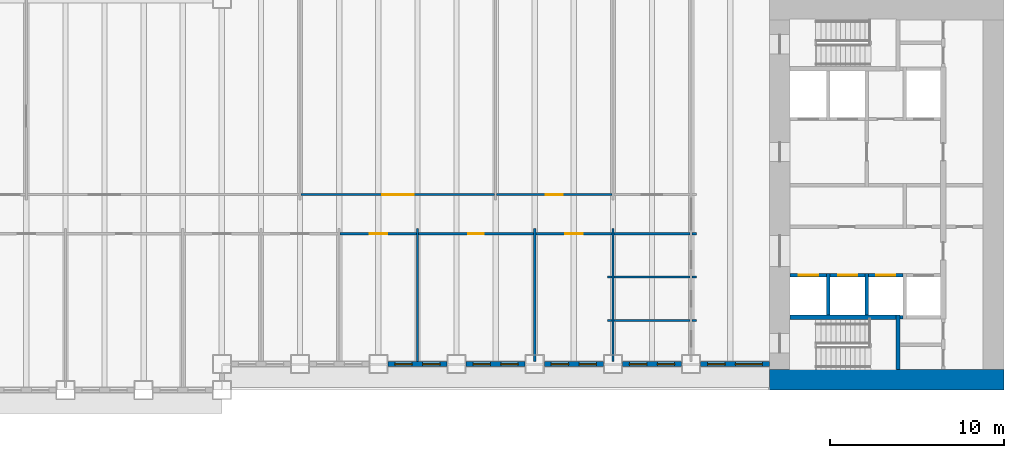
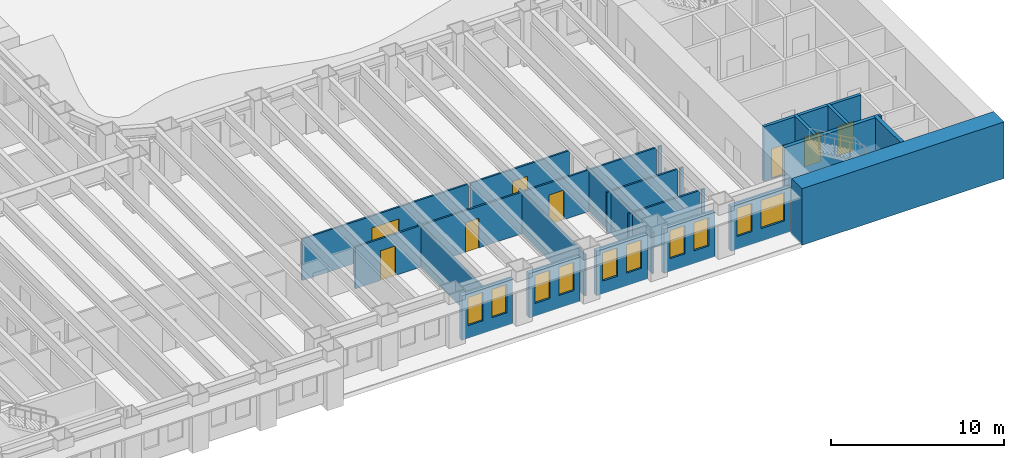
# One storey, part 5 of 18: 30 walls, 10 windows, 8 doors, 18 openings.
"""IFC4 building model written with IfcOpenShell, lengths in metres."""

from ifc_helpers import new_model, si_unit, direction, frame, frame_2d, origin, place, context, subcontext, project, spatial, rectangle, extrude, material, layer, layer_set, type_object, element, fill, save


model = new_model("IFC4")

# Units and contexts
model_context = context("Model", 3, precision=1e-05, world=origin(), true_north=direction((0.0, 1.0)))
body_context = subcontext(model_context, "Body", "Model", "MODEL_VIEW")
ifc_project = project(units=[si_unit("LENGTHUNIT", "METRE"), si_unit("AREAUNIT", "SQUARE_METRE"), si_unit("VOLUMEUNIT", "CUBIC_METRE"), si_unit("PLANEANGLEUNIT", "RADIAN"), si_unit("MASSUNIT", "GRAM", prefix="KILO")], contexts=[model_context])

# Site, building, storey
site_placement = place(None, origin())
site = spatial("IfcSite", under=ifc_project, at=site_placement, CompositionType="ELEMENT")
building_placement = place(site_placement, origin())
building = spatial("IfcBuilding", under=site, at=building_placement, Name="Sennacour Bend Tower", CompositionType="ELEMENT")
storey_placement = place(building_placement, frame((0.0, 0.0, 29.0)))
storey = spatial("IfcBuildingStorey", under=building, at=storey_placement, Name="L05", CompositionType="ELEMENT", Elevation=29.0)

# Walls
ifc_material_1 = material(Name="Concrete C80/95", Category="concrete")
ifc_layer_1 = layer(ifc_material_1, 1.199951171875, Name="Concrete C80/95", Category="concrete")
ifc_layer_set_1 = layer_set([ifc_layer_1], Name="Concrete C80/95")
wall_type_1 = type_object("IfcWallType", Name="Core wall 1200 C80/95", PredefinedType="SHEAR", material=ifc_layer_set_1)
wall_1_placement = place(storey_placement, frame((67.5, 0.60009765625, -0.14990234375), z_axis=(0.0, 0.0, 1.0), x_axis=(-1.0, 0.0, 0.0)))
element("IfcWall", 1, at=wall_1_placement, inside=storey, type_object=wall_type_1, Name="Core A wall L05 S", PredefinedType="SHEAR", context=body_context, shape_type="SweptSolid", body=[
    extrude(rectangle(XDim=13.5, YDim=1.199951171875, at=frame_2d((6.75, 0.0))), origin(), (0.0, 0.0, 1.0), 4.0),
])
ifc_material_2 = material(Name="Plasterboard partition on steel studs", Category="steel")
ifc_layer_2 = layer(ifc_material_2, 0.1201171875, Name="Plasterboard partition on steel studs", Category="steel")
ifc_layer_set_2 = layer_set([ifc_layer_2], Name="Plasterboard partition on steel studs")
wall_type_2 = type_object("IfcWallType", Name="Partition 120", PredefinedType="PARTITIONING", material=ifc_layer_set_2)
for number, where, z_axis, x_axis, name in (
    (2, (33.75, 1.64990234375, 0.0), (0.0, 0.0, 1.0), (0.0, 1.0, 0.0), "P-L05-W030a"),
    (3, (40.5, 1.64990234375, 0.0), (0.0, 0.0, 1.0), (0.0, 1.0, 0.0), "P-L05-W032a"),
    (4, (45.0, 1.64990234375, 0.0), (0.0, 0.0, 1.0), (0.0, 1.0, 0.0), "P-L05-W033a"),
):
    element("IfcWall", number, at=place(storey_placement, frame(where, z_axis=z_axis, x_axis=x_axis)), inside=storey, type_object=wall_type_2, Name=name, PredefinedType="PARTITIONING", context=body_context, shape_type="SweptSolid", body=[
        extrude(rectangle(XDim=7.650146484375, YDim=0.1201171875, at=frame_2d((3.8251953125, 0.0))), origin(), (0.0, 0.0, 1.0), 2.93798828125),
    ])
wall_2_placement = place(storey_placement, frame((44.699951171875, 4.0, 0.0), z_axis=(0.0, 0.0, 1.0), x_axis=(1.0, 0.0, 0.0)))
element("IfcWall", 5, at=wall_2_placement, inside=storey, type_object=wall_type_2, Name="P-L05-W056aa", PredefinedType="PARTITIONING", context=body_context, shape_type="SweptSolid", body=[
    extrude(rectangle(XDim=0.239990234375, YDim=0.1201171875, at=frame_2d((0.1201171875, 0.0))), origin(), (0.0, 0.0, 1.0), 2.93798828125),
])
wall_3_placement = place(storey_placement, frame((45.06005859375, 4.0, 0.0), z_axis=(0.0, 0.0, 1.0), x_axis=(1.0, 0.0, 0.0)))
element("IfcWall", 6, at=wall_3_placement, inside=storey, type_object=wall_type_2, Name="P-L05-W056ab", PredefinedType="PARTITIONING", context=body_context, shape_type="SweptSolid", body=[
    extrude(rectangle(XDim=4.3798828125, YDim=0.1201171875, at=frame_2d((2.18994140625, 0.0))), origin(), (0.0, 0.0, 1.0), 2.93798828125),
])
for number, where, z_axis, x_axis, name in (
    (7, (49.56005859375, 4.0, 0.0), (0.0, 0.0, 1.0), (1.0, 0.0, 0.0), "P-L05-W056ac"),
    (8, (44.699951171875, 6.5, 0.0), (0.0, 0.0, 1.0), (1.0, 0.0, 0.0), "P-L05-W059aa"),
):
    element("IfcWall", number, at=place(storey_placement, frame(where, z_axis=z_axis, x_axis=x_axis)), inside=storey, type_object=wall_type_2, Name=name, PredefinedType="PARTITIONING", context=body_context, shape_type="SweptSolid", body=[
        extrude(rectangle(XDim=0.239990234375, YDim=0.1201171875, at=frame_2d((0.1201171875, 0.0))), origin(), (0.0, 0.0, 1.0), 2.93798828125),
    ])
wall_4_placement = place(storey_placement, frame((45.06005859375, 6.5, 0.0), z_axis=(0.0, 0.0, 1.0), x_axis=(1.0, 0.0, 0.0)))
element("IfcWall", 9, at=wall_4_placement, inside=storey, type_object=wall_type_2, Name="P-L05-W059ab", PredefinedType="PARTITIONING", context=body_context, shape_type="SweptSolid", body=[
    extrude(rectangle(XDim=4.3798828125, YDim=0.1201171875, at=frame_2d((2.18994140625, 0.0))), origin(), (0.0, 0.0, 1.0), 2.93798828125),
])
wall_5_placement = place(storey_placement, frame((49.56005859375, 6.5, 0.0), z_axis=(0.0, 0.0, 1.0), x_axis=(1.0, 0.0, 0.0)))
element("IfcWall", 10, at=wall_5_placement, inside=storey, type_object=wall_type_2, Name="P-L05-W059ac", PredefinedType="PARTITIONING", context=body_context, shape_type="SweptSolid", body=[
    extrude(rectangle(XDim=0.239990234375, YDim=0.1201171875, at=frame_2d((0.1201171875, 0.0))), origin(), (0.0, 0.0, 1.0), 2.93798828125),
])

# Wall, opening, door
wall_6_placement = place(storey_placement, frame((29.31005859375, 9.0, 0.0), z_axis=(0.0, 0.0, 1.0), x_axis=(1.0, 0.0, 0.0)))
wall_6 = element("IfcWall", 11, at=wall_6_placement, inside=storey, type_object=wall_type_2, Name="P-L05-W061af", PredefinedType="PARTITIONING", context=body_context, shape_type="SweptSolid", body=[
    extrude(rectangle(XDim=4.3798828125, YDim=0.1201171875, at=frame_2d((2.18994140625, 0.0))), origin(), (0.0, 0.0, 1.0), 2.93798828125),
])
opening_1_placement = place(wall_6_placement, frame((1.68994140625, 0.0, 0.0)))
opening_1 = element("IfcOpeningElement", 12, at=opening_1_placement, cuts=wall_6, Name="Opening OD2", PredefinedType="OPENING", context=body_context, shape_type="SweptSolid", body=[
    extrude(rectangle(XDim=1.0, YDim=2.10009765625, at=frame_2d((0.5, 1.050048828125))), frame((0.0, 0.070068359375, 0.0), z_axis=(0.0, -1.0, 0.0), x_axis=(1.0, 0.0, 0.0)), (0.0, 0.0, 1.0), 0.14013671875),
])
ifc_material_3 = material(Name="Timber", Category="wood")
door_type_1 = type_object("IfcDoorType", Name="DR-OFFICE-1000", OperationType="NOTDEFINED", PredefinedType="DOOR", material=ifc_material_3)
door_1_placement = place(opening_1_placement, origin())
door_1 = element("IfcDoor", 13, at=door_1_placement, inside=storey, type_object=door_type_1, Name="Door", OperationType="SINGLE_SWING_LEFT", OverallHeight=2.10009765625, OverallWidth=1.0, PredefinedType="DOOR", context=body_context, shape_type="SweptSolid", body=[
    extrude(rectangle(XDim=1.0, YDim=2.10009765625, at=frame_2d((0.5, 1.050048828125))), frame((0.0, 0.02490234375, 0.0), z_axis=(0.0, -1.0, 0.0), x_axis=(1.0, 0.0, 0.0)), (0.0, 0.0, 1.0), 0.050048828125),
])
fill(opening_1, door_1)

wall_7_placement = place(storey_placement, frame((40.56005859375, 9.0, 0.0), z_axis=(0.0, 0.0, 1.0), x_axis=(1.0, 0.0, 0.0)))
wall_7 = element("IfcWall", 14, at=wall_7_placement, inside=storey, type_object=wall_type_2, Name="P-L05-W061ah", PredefinedType="PARTITIONING", context=body_context, shape_type="SweptSolid", body=[
    extrude(rectangle(XDim=4.3798828125, YDim=0.1201171875, at=frame_2d((2.18994140625, 0.0))), origin(), (0.0, 0.0, 1.0), 2.93798828125),
])
opening_2_placement = place(wall_7_placement, frame((1.68994140625, 0.0, 0.0)))
opening_2 = element("IfcOpeningElement", 15, at=opening_2_placement, cuts=wall_7, Name="Opening OD2", PredefinedType="OPENING", context=body_context, shape_type="SweptSolid", body=[
    extrude(rectangle(XDim=1.0, YDim=2.10009765625, at=frame_2d((0.5, 1.050048828125))), frame((0.0, 0.070068359375, 0.0), z_axis=(0.0, -1.0, 0.0), x_axis=(1.0, 0.0, 0.0)), (0.0, 0.0, 1.0), 0.14013671875),
])
door_2_placement = place(opening_2_placement, origin())
door_2 = element("IfcDoor", 16, at=door_2_placement, inside=storey, type_object=door_type_1, Name="Door", OperationType="SINGLE_SWING_LEFT", OverallHeight=2.10009765625, OverallWidth=1.0, PredefinedType="DOOR", context=body_context, shape_type="SweptSolid", body=[
    extrude(rectangle(XDim=1.0, YDim=2.10009765625, at=frame_2d((0.5, 1.050048828125))), frame((0.0, 0.02490234375, 0.0), z_axis=(0.0, -1.0, 0.0), x_axis=(1.0, 0.0, 0.0)), (0.0, 0.0, 1.0), 0.050048828125),
])
fill(opening_2, door_2)

# Walls
wall_8_placement = place(storey_placement, frame((45.06005859375, 9.0, 0.0), z_axis=(0.0, 0.0, 1.0), x_axis=(1.0, 0.0, 0.0)))
element("IfcWall", 17, at=wall_8_placement, inside=storey, type_object=wall_type_2, Name="P-L05-W061ai", PredefinedType="PARTITIONING", context=body_context, shape_type="SweptSolid", body=[
    extrude(rectangle(XDim=4.3798828125, YDim=0.1201171875, at=frame_2d((2.18994140625, 0.0))), origin(), (0.0, 0.0, 1.0), 2.93798828125),
])
wall_9_placement = place(storey_placement, frame((49.56005859375, 9.0, 0.0), z_axis=(0.0, 0.0, 1.0), x_axis=(1.0, 0.0, 0.0)))
element("IfcWall", 18, at=wall_9_placement, inside=storey, type_object=wall_type_2, Name="P-L05-W061aj", PredefinedType="PARTITIONING", context=body_context, shape_type="SweptSolid", body=[
    extrude(rectangle(XDim=0.239990234375, YDim=0.1201171875, at=frame_2d((0.1201171875, 0.0))), origin(), (0.0, 0.0, 1.0), 2.93798828125),
])

# Wall, opening, door
wall_10_placement = place(storey_placement, frame((27.06005859375, 11.25, 0.0), z_axis=(0.0, 0.0, 1.0), x_axis=(1.0, 0.0, 0.0)))
wall_10 = element("IfcWall", 19, at=wall_10_placement, inside=storey, type_object=wall_type_2, Name="P-L05-W063ad", PredefinedType="PARTITIONING", context=body_context, shape_type="SweptSolid", body=[
    extrude(rectangle(XDim=11.1298828125, YDim=0.1201171875, at=frame_2d((5.56494140625, 0.0))), origin(), (0.0, 0.0, 1.0), 2.93798828125),
])
opening_3_placement = place(wall_10_placement, frame((4.664794921875, 0.0, 0.0)))
opening_3 = element("IfcOpeningElement", 20, at=opening_3_placement, cuts=wall_10, Name="Opening OD3", PredefinedType="OPENING", context=body_context, shape_type="SweptSolid", body=[
    extrude(rectangle(XDim=1.800048828125, YDim=2.10009765625, at=frame_2d((0.89990234375, 1.050048828125))), frame((0.0, 0.070068359375, 0.0), z_axis=(0.0, -1.0, 0.0), x_axis=(1.0, 0.0, 0.0)), (0.0, 0.0, 1.0), 0.14013671875),
])
door_type_2 = type_object("IfcDoorType", Name="DR-OFFICE-1800", OperationType="NOTDEFINED", PredefinedType="DOOR", material=ifc_material_3)
door_3_placement = place(opening_3_placement, origin())
door_3 = element("IfcDoor", 21, at=door_3_placement, inside=storey, type_object=door_type_2, Name="Door", OperationType="DOUBLE_DOOR_SINGLE_SWING", OverallHeight=2.10009765625, OverallWidth=1.800048828125, PredefinedType="DOOR", context=body_context, shape_type="SweptSolid", body=[
    extrude(rectangle(XDim=1.800048828125, YDim=2.10009765625, at=frame_2d((0.89990234375, 1.050048828125))), frame((0.0, 0.02490234375, 0.0), z_axis=(0.0, -1.0, 0.0), x_axis=(1.0, 0.0, 0.0)), (0.0, 0.0, 1.0), 0.050048828125),
])
fill(opening_3, door_3)

wall_11_placement = place(storey_placement, frame((38.31005859375, 11.25, 0.0), z_axis=(0.0, 0.0, 1.0), x_axis=(1.0, 0.0, 0.0)))
wall_11 = element("IfcWall", 22, at=wall_11_placement, inside=storey, type_object=wall_type_2, Name="P-L05-W063ae", PredefinedType="PARTITIONING", context=body_context, shape_type="SweptSolid", body=[
    extrude(rectangle(XDim=6.6298828125, YDim=0.1201171875, at=frame_2d((3.31494140625, 0.0))), origin(), (0.0, 0.0, 1.0), 2.93798828125),
])
opening_4_placement = place(wall_11_placement, frame((2.81494140625, 0.0, 0.0)))
opening_4 = element("IfcOpeningElement", 23, at=opening_4_placement, cuts=wall_11, Name="Opening MD2", PredefinedType="OPENING", context=body_context, shape_type="SweptSolid", body=[
    extrude(rectangle(XDim=1.0, YDim=2.10009765625, at=frame_2d((0.5, 1.050048828125))), frame((0.0, 0.070068359375, 0.0), z_axis=(0.0, -1.0, 0.0), x_axis=(1.0, 0.0, 0.0)), (0.0, 0.0, 1.0), 0.14013671875),
])
door_type_3 = type_object("IfcDoorType", Name="DR-MEETING-1000", OperationType="NOTDEFINED", PredefinedType="DOOR", material=ifc_material_3)
door_4_placement = place(opening_4_placement, origin())
door_4 = element("IfcDoor", 24, at=door_4_placement, inside=storey, type_object=door_type_3, Name="Door", OperationType="SINGLE_SWING_LEFT", OverallHeight=2.10009765625, OverallWidth=1.0, PredefinedType="DOOR", context=body_context, shape_type="SweptSolid", body=[
    extrude(rectangle(XDim=1.0, YDim=2.10009765625, at=frame_2d((0.5, 1.050048828125))), frame((0.0, 0.02490234375, 0.0), z_axis=(0.0, -1.0, 0.0), x_axis=(1.0, 0.0, 0.0)), (0.0, 0.0, 1.0), 0.050048828125),
])
fill(opening_4, door_4)

ifc_layer_3 = layer(ifc_material_2, 0.1201171875, Name="Plasterboard partition on steel studs", Category="steel")
ifc_layer_set_3 = layer_set([ifc_layer_3], Name="Plasterboard partition on steel studs")
wall_type_3 = type_object("IfcWallType", Name="Partition 120 EI 60", PredefinedType="PARTITIONING", material=ifc_layer_set_3)
wall_12_placement = place(storey_placement, frame((33.81005859375, 9.0, 0.0), z_axis=(0.0, 0.0, 1.0), x_axis=(1.0, 0.0, 0.0)))
wall_12 = element("IfcWall", 25, at=wall_12_placement, inside=storey, type_object=wall_type_3, Name="P-L05-W061ag", PredefinedType="PARTITIONING", context=body_context, shape_type="SweptSolid", body=[
    extrude(rectangle(XDim=6.6298828125, YDim=0.1201171875, at=frame_2d((3.31494140625, 0.0))), origin(), (0.0, 0.0, 1.0), 2.93798828125),
])
opening_5_placement = place(wall_12_placement, frame((2.864990234375, 0.0, 0.0)))
opening_5 = element("IfcOpeningElement", 26, at=opening_5_placement, cuts=wall_12, Name="Opening SV", PredefinedType="OPENING", context=body_context, shape_type="SweptSolid", body=[
    extrude(rectangle(XDim=0.89990234375, YDim=2.10009765625, at=frame_2d((0.449951171875, 1.050048828125))), frame((0.0, 0.070068359375, 0.0), z_axis=(0.0, -1.0, 0.0), x_axis=(1.0, 0.0, 0.0)), (0.0, 0.0, 1.0), 0.14013671875),
])
ifc_material_4 = material(Name="Painted steel", Category="steel")
door_type_4 = type_object("IfcDoorType", Name="DR-SERVICE-900", OperationType="NOTDEFINED", PredefinedType="DOOR", material=ifc_material_4)
door_5_placement = place(opening_5_placement, origin())
door_5 = element("IfcDoor", 27, at=door_5_placement, inside=storey, type_object=door_type_4, Name="Door", OperationType="SINGLE_SWING_LEFT", OverallHeight=2.10009765625, OverallWidth=0.89990234375, PredefinedType="DOOR", context=body_context, shape_type="SweptSolid", body=[
    extrude(rectangle(XDim=0.89990234375, YDim=2.10009765625, at=frame_2d((0.449951171875, 1.050048828125))), frame((0.0, 0.02490234375, 0.0), z_axis=(0.0, -1.0, 0.0), x_axis=(1.0, 0.0, 0.0)), (0.0, 0.0, 1.0), 0.050048828125),
])
fill(opening_5, door_5)

# Wall, openings, windows
ifc_material_5 = material(Name="Warm limestone cladding", Category="masonry")
ifc_layer_4 = layer(ifc_material_5, 0.050048828125, Name="Warm limestone cladding", Category="masonry")
ifc_material_6 = material(Name="Precast concrete C40/50", Category="concrete")
ifc_layer_5 = layer(ifc_material_6, 0.25, Name="Precast concrete C40/50", Category="concrete")
ifc_layer_set_4 = layer_set([ifc_layer_4, ifc_layer_5], Name="Precast concrete C40/50 with limestone cladding")
wall_type_4 = type_object("IfcWallType", Name="STONE-CLAD PRECAST SPANDREL 300", PredefinedType="STANDARD", material=ifc_layer_set_4)
wall_13_placement = place(storey_placement, frame((32.050048828125, 1.5, 0.0), z_axis=(0.0, 0.0, 1.0), x_axis=(1.0, 0.0, 0.0)))
wall_13 = element("IfcWall", 28, at=wall_13_placement, inside=storey, type_object=wall_type_4, Name="Stone spandrel and pier wall L05 02.02", PredefinedType="STANDARD", context=body_context, shape_type="SweptSolid", body=[
    extrude(rectangle(XDim=3.39990234375, YDim=0.300048828125, at=frame_2d((1.699951171875, 0.0))), origin(), (0.0, 0.0, 1.0), 3.14404296875),
])
opening_6_placement = place(wall_13_placement, frame((0.39990234375, 0.0, 0.89990234375)))
opening_6 = element("IfcOpeningElement", 29, at=opening_6_placement, cuts=wall_13, Name="Opening W8", PredefinedType="OPENING", context=body_context, shape_type="SweptSolid", body=[
    extrude(rectangle(XDim=1.0, YDim=2.0, at=frame_2d((0.5, 1.0))), frame((0.0, 0.16015625, 0.0), z_axis=(0.0, -1.0, 0.0), x_axis=(1.0, 0.0, 0.0)), (0.0, 0.0, 1.0), 0.320068359375),
])
opening_7_placement = place(wall_13_placement, frame((2.0, 0.0, 0.89990234375)))
opening_7 = element("IfcOpeningElement", 30, at=opening_7_placement, cuts=wall_13, Name="Opening W8", PredefinedType="OPENING", context=body_context, shape_type="SweptSolid", body=[
    extrude(rectangle(XDim=1.0, YDim=2.0, at=frame_2d((0.5, 1.0))), frame((0.0, 0.16015625, 0.0), z_axis=(0.0, -1.0, 0.0), x_axis=(1.0, 0.0, 0.0)), (0.0, 0.0, 1.0), 0.320068359375),
])
ifc_material_7 = material(Name="Clear low-emissivity glass", Category="glass")
window_type_1 = type_object("IfcWindowType", Name="WIN-RIBBON-1000x2000", PartitioningType="SINGLE_PANEL", PredefinedType="WINDOW", material=ifc_material_7)
window_1_placement = place(opening_6_placement, origin())
window_1 = element("IfcWindow", 31, at=window_1_placement, inside=storey, type_object=window_type_1, Name="Ribbon window L05 02.02.0", OverallHeight=2.0, OverallWidth=1.0, PartitioningType="SINGLE_PANEL", PredefinedType="WINDOW", context=body_context, shape_type="SweptSolid", body=[
    extrude(rectangle(XDim=1.0, YDim=2.0, at=frame_2d((0.5, 1.0))), frame((0.0, 0.030029296875, 0.0), z_axis=(0.0, -1.0, 0.0), x_axis=(1.0, 0.0, 0.0)), (0.0, 0.0, 1.0), 0.06005859375),
])
fill(opening_6, window_1)
window_2_placement = place(opening_7_placement, origin())
window_2 = element("IfcWindow", 32, at=window_2_placement, inside=storey, type_object=window_type_1, Name="Ribbon window L05 02.02.1", OverallHeight=2.0, OverallWidth=1.0, PartitioningType="SINGLE_PANEL", PredefinedType="WINDOW", context=body_context, shape_type="SweptSolid", body=[
    extrude(rectangle(XDim=1.0, YDim=2.0, at=frame_2d((0.5, 1.0))), frame((0.0, 0.030029296875, 0.0), z_axis=(0.0, -1.0, 0.0), x_axis=(1.0, 0.0, 0.0)), (0.0, 0.0, 1.0), 0.06005859375),
])
fill(opening_7, window_2)

wall_14_placement = place(storey_placement, frame((36.550048828125, 1.5, 0.0), z_axis=(0.0, 0.0, 1.0), x_axis=(1.0, 0.0, 0.0)))
wall_14 = element("IfcWall", 33, at=wall_14_placement, inside=storey, type_object=wall_type_4, Name="Stone spandrel and pier wall L05 02.03", PredefinedType="STANDARD", context=body_context, shape_type="SweptSolid", body=[
    extrude(rectangle(XDim=3.39990234375, YDim=0.300048828125, at=frame_2d((1.699951171875, 0.0))), origin(), (0.0, 0.0, 1.0), 3.14404296875),
])
opening_8_placement = place(wall_14_placement, frame((0.39990234375, 0.0, 0.89990234375)))
opening_8 = element("IfcOpeningElement", 34, at=opening_8_placement, cuts=wall_14, Name="Opening W8", PredefinedType="OPENING", context=body_context, shape_type="SweptSolid", body=[
    extrude(rectangle(XDim=1.0, YDim=2.0, at=frame_2d((0.5, 1.0))), frame((0.0, 0.16015625, 0.0), z_axis=(0.0, -1.0, 0.0), x_axis=(1.0, 0.0, 0.0)), (0.0, 0.0, 1.0), 0.320068359375),
])
opening_9_placement = place(wall_14_placement, frame((2.0, 0.0, 0.89990234375)))
opening_9 = element("IfcOpeningElement", 35, at=opening_9_placement, cuts=wall_14, Name="Opening W8", PredefinedType="OPENING", context=body_context, shape_type="SweptSolid", body=[
    extrude(rectangle(XDim=1.0, YDim=2.0, at=frame_2d((0.5, 1.0))), frame((0.0, 0.16015625, 0.0), z_axis=(0.0, -1.0, 0.0), x_axis=(1.0, 0.0, 0.0)), (0.0, 0.0, 1.0), 0.320068359375),
])
window_3_placement = place(opening_8_placement, origin())
window_3 = element("IfcWindow", 36, at=window_3_placement, inside=storey, type_object=window_type_1, Name="Ribbon window L05 02.03.0", OverallHeight=2.0, OverallWidth=1.0, PartitioningType="SINGLE_PANEL", PredefinedType="WINDOW", context=body_context, shape_type="SweptSolid", body=[
    extrude(rectangle(XDim=1.0, YDim=2.0, at=frame_2d((0.5, 1.0))), frame((0.0, 0.030029296875, 0.0), z_axis=(0.0, -1.0, 0.0), x_axis=(1.0, 0.0, 0.0)), (0.0, 0.0, 1.0), 0.06005859375),
])
fill(opening_8, window_3)
window_4_placement = place(opening_9_placement, origin())
window_4 = element("IfcWindow", 37, at=window_4_placement, inside=storey, type_object=window_type_1, Name="Ribbon window L05 02.03.1", OverallHeight=2.0, OverallWidth=1.0, PartitioningType="SINGLE_PANEL", PredefinedType="WINDOW", context=body_context, shape_type="SweptSolid", body=[
    extrude(rectangle(XDim=1.0, YDim=2.0, at=frame_2d((0.5, 1.0))), frame((0.0, 0.030029296875, 0.0), z_axis=(0.0, -1.0, 0.0), x_axis=(1.0, 0.0, 0.0)), (0.0, 0.0, 1.0), 0.06005859375),
])
fill(opening_9, window_4)

wall_15_placement = place(storey_placement, frame((41.050048828125, 1.5, 0.0), z_axis=(0.0, 0.0, 1.0), x_axis=(1.0, 0.0, 0.0)))
wall_15 = element("IfcWall", 38, at=wall_15_placement, inside=storey, type_object=wall_type_4, Name="Stone spandrel and pier wall L05 02.04", PredefinedType="STANDARD", context=body_context, shape_type="SweptSolid", body=[
    extrude(rectangle(XDim=3.39990234375, YDim=0.300048828125, at=frame_2d((1.699951171875, 0.0))), origin(), (0.0, 0.0, 1.0), 3.14404296875),
])
opening_10_placement = place(wall_15_placement, frame((0.39990234375, 0.0, 0.89990234375)))
opening_10 = element("IfcOpeningElement", 39, at=opening_10_placement, cuts=wall_15, Name="Opening W8", PredefinedType="OPENING", context=body_context, shape_type="SweptSolid", body=[
    extrude(rectangle(XDim=1.0, YDim=2.0, at=frame_2d((0.5, 1.0))), frame((0.0, 0.16015625, 0.0), z_axis=(0.0, -1.0, 0.0), x_axis=(1.0, 0.0, 0.0)), (0.0, 0.0, 1.0), 0.320068359375),
])
opening_11_placement = place(wall_15_placement, frame((2.0, 0.0, 0.89990234375)))
opening_11 = element("IfcOpeningElement", 40, at=opening_11_placement, cuts=wall_15, Name="Opening W8", PredefinedType="OPENING", context=body_context, shape_type="SweptSolid", body=[
    extrude(rectangle(XDim=1.0, YDim=2.0, at=frame_2d((0.5, 1.0))), frame((0.0, 0.16015625, 0.0), z_axis=(0.0, -1.0, 0.0), x_axis=(1.0, 0.0, 0.0)), (0.0, 0.0, 1.0), 0.320068359375),
])
window_5_placement = place(opening_10_placement, origin())
window_5 = element("IfcWindow", 41, at=window_5_placement, inside=storey, type_object=window_type_1, Name="Ribbon window L05 02.04.0", OverallHeight=2.0, OverallWidth=1.0, PartitioningType="SINGLE_PANEL", PredefinedType="WINDOW", context=body_context, shape_type="SweptSolid", body=[
    extrude(rectangle(XDim=1.0, YDim=2.0, at=frame_2d((0.5, 1.0))), frame((0.0, 0.030029296875, 0.0), z_axis=(0.0, -1.0, 0.0), x_axis=(1.0, 0.0, 0.0)), (0.0, 0.0, 1.0), 0.06005859375),
])
fill(opening_10, window_5)
window_6_placement = place(opening_11_placement, origin())
window_6 = element("IfcWindow", 42, at=window_6_placement, inside=storey, type_object=window_type_1, Name="Ribbon window L05 02.04.1", OverallHeight=2.0, OverallWidth=1.0, PartitioningType="SINGLE_PANEL", PredefinedType="WINDOW", context=body_context, shape_type="SweptSolid", body=[
    extrude(rectangle(XDim=1.0, YDim=2.0, at=frame_2d((0.5, 1.0))), frame((0.0, 0.030029296875, 0.0), z_axis=(0.0, -1.0, 0.0), x_axis=(1.0, 0.0, 0.0)), (0.0, 0.0, 1.0), 0.06005859375),
])
fill(opening_11, window_6)

wall_16_placement = place(storey_placement, frame((45.550048828125, 1.5, 0.0), z_axis=(0.0, 0.0, 1.0), x_axis=(1.0, 0.0, 0.0)))
wall_16 = element("IfcWall", 43, at=wall_16_placement, inside=storey, type_object=wall_type_4, Name="Stone spandrel and pier wall L05 02.05", PredefinedType="STANDARD", context=body_context, shape_type="SweptSolid", body=[
    extrude(rectangle(XDim=3.39990234375, YDim=0.300048828125, at=frame_2d((1.699951171875, 0.0))), origin(), (0.0, 0.0, 1.0), 3.14404296875),
])
opening_12_placement = place(wall_16_placement, frame((0.39990234375, 0.0, 0.89990234375)))
opening_12 = element("IfcOpeningElement", 44, at=opening_12_placement, cuts=wall_16, Name="Opening W8", PredefinedType="OPENING", context=body_context, shape_type="SweptSolid", body=[
    extrude(rectangle(XDim=1.0, YDim=2.0, at=frame_2d((0.5, 1.0))), frame((0.0, 0.16015625, 0.0), z_axis=(0.0, -1.0, 0.0), x_axis=(1.0, 0.0, 0.0)), (0.0, 0.0, 1.0), 0.320068359375),
])
opening_13_placement = place(wall_16_placement, frame((2.0, 0.0, 0.89990234375)))
opening_13 = element("IfcOpeningElement", 45, at=opening_13_placement, cuts=wall_16, Name="Opening W8", PredefinedType="OPENING", context=body_context, shape_type="SweptSolid", body=[
    extrude(rectangle(XDim=1.0, YDim=2.0, at=frame_2d((0.5, 1.0))), frame((0.0, 0.16015625, 0.0), z_axis=(0.0, -1.0, 0.0), x_axis=(1.0, 0.0, 0.0)), (0.0, 0.0, 1.0), 0.320068359375),
])
window_7_placement = place(opening_12_placement, origin())
window_7 = element("IfcWindow", 46, at=window_7_placement, inside=storey, type_object=window_type_1, Name="Ribbon window L05 02.05.0", OverallHeight=2.0, OverallWidth=1.0, PartitioningType="SINGLE_PANEL", PredefinedType="WINDOW", context=body_context, shape_type="SweptSolid", body=[
    extrude(rectangle(XDim=1.0, YDim=2.0, at=frame_2d((0.5, 1.0))), frame((0.0, 0.030029296875, 0.0), z_axis=(0.0, -1.0, 0.0), x_axis=(1.0, 0.0, 0.0)), (0.0, 0.0, 1.0), 0.06005859375),
])
fill(opening_12, window_7)
window_8_placement = place(opening_13_placement, origin())
window_8 = element("IfcWindow", 47, at=window_8_placement, inside=storey, type_object=window_type_1, Name="Ribbon window L05 02.05.1", OverallHeight=2.0, OverallWidth=1.0, PartitioningType="SINGLE_PANEL", PredefinedType="WINDOW", context=body_context, shape_type="SweptSolid", body=[
    extrude(rectangle(XDim=1.0, YDim=2.0, at=frame_2d((0.5, 1.0))), frame((0.0, 0.030029296875, 0.0), z_axis=(0.0, -1.0, 0.0), x_axis=(1.0, 0.0, 0.0)), (0.0, 0.0, 1.0), 0.06005859375),
])
fill(opening_13, window_8)

wall_17_placement = place(storey_placement, frame((50.050048828125, 1.5, 0.0), z_axis=(0.0, 0.0, 1.0), x_axis=(1.0, 0.0, 0.0)))
wall_17 = element("IfcWall", 48, at=wall_17_placement, inside=storey, type_object=wall_type_4, Name="Stone spandrel and pier wall L05 02.06", PredefinedType="STANDARD", context=body_context, shape_type="SweptSolid", body=[
    extrude(rectangle(XDim=3.949951171875, YDim=0.300048828125, at=frame_2d((1.97509765625, 0.0))), origin(), (0.0, 0.0, 1.0), 3.14404296875),
])
opening_14_placement = place(wall_17_placement, frame((0.39990234375, 0.0, 0.89990234375)))
opening_14 = element("IfcOpeningElement", 49, at=opening_14_placement, cuts=wall_17, Name="Opening W8", PredefinedType="OPENING", context=body_context, shape_type="SweptSolid", body=[
    extrude(rectangle(XDim=1.0, YDim=2.0, at=frame_2d((0.5, 1.0))), frame((0.0, 0.16015625, 0.0), z_axis=(0.0, -1.0, 0.0), x_axis=(1.0, 0.0, 0.0)), (0.0, 0.0, 1.0), 0.320068359375),
])
opening_15_placement = place(wall_17_placement, frame((2.0, 0.0, 0.89990234375)))
opening_15 = element("IfcOpeningElement", 50, at=opening_15_placement, cuts=wall_17, Name="Opening W9", PredefinedType="OPENING", context=body_context, shape_type="SweptSolid", body=[
    extrude(rectangle(XDim=1.550048828125, YDim=2.0, at=frame_2d((0.77490234375, 1.0))), frame((0.0, 0.16015625, 0.0), z_axis=(0.0, -1.0, 0.0), x_axis=(1.0, 0.0, 0.0)), (0.0, 0.0, 1.0), 0.320068359375),
])
window_9_placement = place(opening_14_placement, origin())
window_9 = element("IfcWindow", 51, at=window_9_placement, inside=storey, type_object=window_type_1, Name="Ribbon window L05 02.06.0", OverallHeight=2.0, OverallWidth=1.0, PartitioningType="SINGLE_PANEL", PredefinedType="WINDOW", context=body_context, shape_type="SweptSolid", body=[
    extrude(rectangle(XDim=1.0, YDim=2.0, at=frame_2d((0.5, 1.0))), frame((0.0, 0.030029296875, 0.0), z_axis=(0.0, -1.0, 0.0), x_axis=(1.0, 0.0, 0.0)), (0.0, 0.0, 1.0), 0.06005859375),
])
fill(opening_14, window_9)
window_type_2 = type_object("IfcWindowType", Name="WIN-RIBBON-1550x2000", PartitioningType="SINGLE_PANEL", PredefinedType="WINDOW", material=ifc_material_7)
window_10_placement = place(opening_15_placement, origin())
window_10 = element("IfcWindow", 52, at=window_10_placement, inside=storey, type_object=window_type_2, Name="Ribbon window L05 02.06.1", OverallHeight=2.0, OverallWidth=1.550048828125, PartitioningType="SINGLE_PANEL", PredefinedType="WINDOW", context=body_context, shape_type="SweptSolid", body=[
    extrude(rectangle(XDim=1.550048828125, YDim=2.0, at=frame_2d((0.77490234375, 1.0))), frame((0.0, 0.030029296875, 0.0), z_axis=(0.0, -1.0, 0.0), x_axis=(1.0, 0.0, 0.0)), (0.0, 0.0, 1.0), 0.06005859375),
])
fill(opening_15, window_10)

# Walls
ifc_material_8 = material(Name="Concrete C50/60", Category="concrete")
ifc_layer_6 = layer(ifc_material_8, 0.199951171875, Name="Concrete C50/60", Category="concrete")
ifc_layer_set_5 = layer_set([ifc_layer_6], Name="Concrete C50/60")
wall_type_5 = type_object("IfcWallType", Name="Shaft wall 200", PredefinedType="SOLIDWALL", material=ifc_layer_set_5)
for number, where, z_axis, x_axis, name in (
    (53, (57.39990234375, 4.324951171875, 0.0), (0.0, 0.0, 1.0), (0.0, 1.0, 0.0), "P-L05-W037"),
    (54, (59.60009765625, 4.324951171875, 0.0), (0.0, 0.0, 1.0), (0.0, 1.0, 0.0), "P-L05-W039"),
):
    element("IfcWall", number, at=place(storey_placement, frame(where, z_axis=z_axis, x_axis=x_axis)), inside=storey, type_object=wall_type_5, Name=name, PredefinedType="SOLIDWALL", context=body_context, shape_type="SweptSolid", body=[
        extrude(rectangle(XDim=2.375, YDim=0.199951171875, at=frame_2d((1.1875, 0.0))), origin(), (0.0, 0.0, 1.0), 3.85009765625),
    ])
wall_18_placement = place(storey_placement, frame((61.52490234375, 4.199951171875, 0.0), z_axis=(0.0, 0.0, 1.0), x_axis=(1.0, 0.0, 0.0)))
element("IfcWall", 55, at=wall_18_placement, inside=storey, type_object=wall_type_5, Name="P-L05-W058a", PredefinedType="SOLIDWALL", context=body_context, shape_type="SweptSolid", body=[
    extrude(rectangle(XDim=0.175048828125, YDim=0.199951171875, at=frame_2d((0.08740234375, 0.0))), origin(), (0.0, 0.0, 1.0), 3.85009765625),
])

# Wall, opening, door
wall_19_placement = place(storey_placement, frame((55.199951171875, 6.60009765625, 0.0), z_axis=(0.0, 0.0, 1.0), x_axis=(1.0, 0.0, 0.0)))
wall_19 = element("IfcWall", 56, at=wall_19_placement, inside=storey, type_object=wall_type_5, Name="P-L05-W060a", PredefinedType="SOLIDWALL", context=body_context, shape_type="SweptSolid", body=[
    extrude(rectangle(XDim=2.10009765625, YDim=0.199951171875, at=frame_2d((1.050048828125, 0.0))), origin(), (0.0, 0.0, 1.0), 3.85009765625),
])
opening_16_placement = place(wall_19_placement, frame((0.5, 0.0, 0.011962890625)))
opening_16 = element("IfcOpeningElement", 57, at=opening_16_placement, cuts=wall_19, Name="Opening LD", PredefinedType="OPENING", context=body_context, shape_type="SweptSolid", body=[
    extrude(rectangle(XDim=1.10009765625, YDim=2.10009765625, at=frame_2d((0.550048828125, 1.050048828125))), frame((0.0, 0.10986328125, 0.0), z_axis=(0.0, -1.0, 0.0), x_axis=(1.0, 0.0, 0.0)), (0.0, 0.0, 1.0), 0.219970703125),
])
ifc_material_9 = material(Name="Stainless steel", Category="steel")
door_type_5 = type_object("IfcDoorType", Name="DR-LANDING-1100", OperationType="NOTDEFINED", PredefinedType="DOOR", material=ifc_material_9)
door_6_placement = place(opening_16_placement, origin())
door_6 = element("IfcDoor", 58, at=door_6_placement, inside=storey, type_object=door_type_5, Name="Lift landing door LA1", OperationType="SLIDING_TO_LEFT", OverallHeight=2.10009765625, OverallWidth=1.10009765625, PredefinedType="DOOR", context=body_context, shape_type="SweptSolid", body=[
    extrude(rectangle(XDim=1.10009765625, YDim=2.10009765625, at=frame_2d((0.550048828125, 1.050048828125))), frame((0.0, 0.02490234375, 0.0), z_axis=(0.0, -1.0, 0.0), x_axis=(1.0, 0.0, 0.0)), (0.0, 0.0, 1.0), 0.050048828125),
])
fill(opening_16, door_6)

wall_20_placement = place(storey_placement, frame((57.5, 6.60009765625, 0.0), z_axis=(0.0, 0.0, 1.0), x_axis=(1.0, 0.0, 0.0)))
wall_20 = element("IfcWall", 59, at=wall_20_placement, inside=storey, type_object=wall_type_5, Name="P-L05-W060b", PredefinedType="SOLIDWALL", context=body_context, shape_type="SweptSolid", body=[
    extrude(rectangle(XDim=2.0, YDim=0.199951171875, at=frame_2d((1.0, 0.0))), origin(), (0.0, 0.0, 1.0), 3.85009765625),
])
opening_17_placement = place(wall_20_placement, frame((0.449951171875, 0.0, 0.011962890625)))
opening_17 = element("IfcOpeningElement", 60, at=opening_17_placement, cuts=wall_20, Name="Opening LD", PredefinedType="OPENING", context=body_context, shape_type="SweptSolid", body=[
    extrude(rectangle(XDim=1.10009765625, YDim=2.10009765625, at=frame_2d((0.550048828125, 1.050048828125))), frame((0.0, 0.10986328125, 0.0), z_axis=(0.0, -1.0, 0.0), x_axis=(1.0, 0.0, 0.0)), (0.0, 0.0, 1.0), 0.219970703125),
])
door_7_placement = place(opening_17_placement, origin())
door_7 = element("IfcDoor", 61, at=door_7_placement, inside=storey, type_object=door_type_5, Name="Lift landing door LA2", OperationType="SLIDING_TO_RIGHT", OverallHeight=2.10009765625, OverallWidth=1.10009765625, PredefinedType="DOOR", context=body_context, shape_type="SweptSolid", body=[
    extrude(rectangle(XDim=1.10009765625, YDim=2.10009765625, at=frame_2d((0.550048828125, 1.050048828125))), frame((0.0, 0.02490234375, 0.0), z_axis=(0.0, -1.0, 0.0), x_axis=(1.0, 0.0, 0.0)), (0.0, 0.0, 1.0), 0.050048828125),
])
fill(opening_17, door_7)

wall_21_placement = place(storey_placement, frame((59.699951171875, 6.60009765625, 0.0), z_axis=(0.0, 0.0, 1.0), x_axis=(1.0, 0.0, 0.0)))
wall_21 = element("IfcWall", 62, at=wall_21_placement, inside=storey, type_object=wall_type_5, Name="P-L05-W060c", PredefinedType="SOLIDWALL", context=body_context, shape_type="SweptSolid", body=[
    extrude(rectangle(XDim=2.0, YDim=0.199951171875, at=frame_2d((1.0, 0.0))), origin(), (0.0, 0.0, 1.0), 3.85009765625),
])
opening_18_placement = place(wall_21_placement, frame((0.449951171875, 0.0, 0.011962890625)))
opening_18 = element("IfcOpeningElement", 63, at=opening_18_placement, cuts=wall_21, Name="Opening LD", PredefinedType="OPENING", context=body_context, shape_type="SweptSolid", body=[
    extrude(rectangle(XDim=1.10009765625, YDim=2.10009765625, at=frame_2d((0.550048828125, 1.050048828125))), frame((0.0, 0.10986328125, 0.0), z_axis=(0.0, -1.0, 0.0), x_axis=(1.0, 0.0, 0.0)), (0.0, 0.0, 1.0), 0.219970703125),
])
door_8_placement = place(opening_18_placement, origin())
door_8 = element("IfcDoor", 64, at=door_8_placement, inside=storey, type_object=door_type_5, Name="Lift landing door LA3", OperationType="SLIDING_TO_LEFT", OverallHeight=2.10009765625, OverallWidth=1.10009765625, PredefinedType="DOOR", context=body_context, shape_type="SweptSolid", body=[
    extrude(rectangle(XDim=1.10009765625, YDim=2.10009765625, at=frame_2d((0.550048828125, 1.050048828125))), frame((0.0, 0.02490234375, 0.0), z_axis=(0.0, -1.0, 0.0), x_axis=(1.0, 0.0, 0.0)), (0.0, 0.0, 1.0), 0.050048828125),
])
fill(opening_18, door_8)

# Walls
ifc_material_10 = material(Name="Concrete C60/75", Category="concrete")
ifc_layer_7 = layer(ifc_material_10, 0.25, Name="Concrete C60/75", Category="concrete")
ifc_layer_set_6 = layer_set([ifc_layer_7], Name="Concrete C60/75")
wall_type_6 = type_object("IfcWallType", Name="Stair wall 250", PredefinedType="SHEAR", material=ifc_layer_set_6)
wall_22_placement = place(storey_placement, frame((61.39990234375, 1.199951171875, 0.0), z_axis=(0.0, 0.0, 1.0), x_axis=(0.0, 1.0, 0.0)))
element("IfcWall", 65, at=wall_22_placement, inside=storey, type_object=wall_type_6, Name="P-L05-W042", PredefinedType="SHEAR", context=body_context, shape_type="SweptSolid", body=[
    extrude(rectangle(XDim=3.125, YDim=0.25, at=frame_2d((1.5625, 0.0))), origin(), (0.0, 0.0, 1.0), 3.85009765625),
])
wall_23_placement = place(storey_placement, frame((55.199951171875, 4.199951171875, 0.0), z_axis=(0.0, 0.0, 1.0), x_axis=(1.0, 0.0, 0.0)))
element("IfcWall", 66, at=wall_23_placement, inside=storey, type_object=wall_type_6, Name="P-L05-W057", PredefinedType="SHEAR", context=body_context, shape_type="SweptSolid", body=[
    extrude(rectangle(XDim=6.074951171875, YDim=0.25, at=frame_2d((3.03759765625, 0.0))), origin(), (0.0, 0.0, 1.0), 3.85009765625),
])

save(model, "model.ifc")
